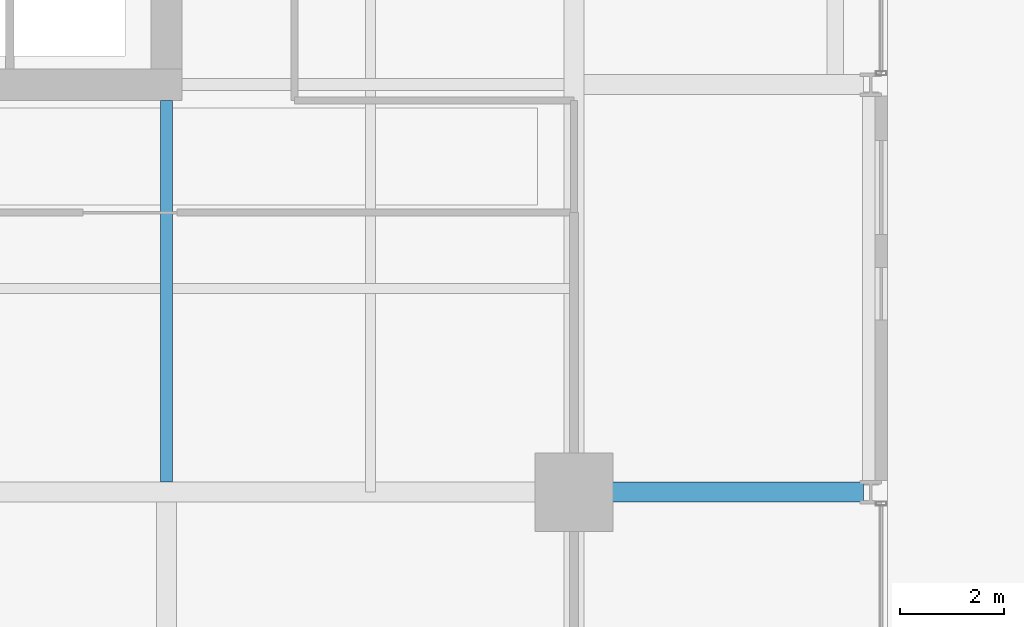
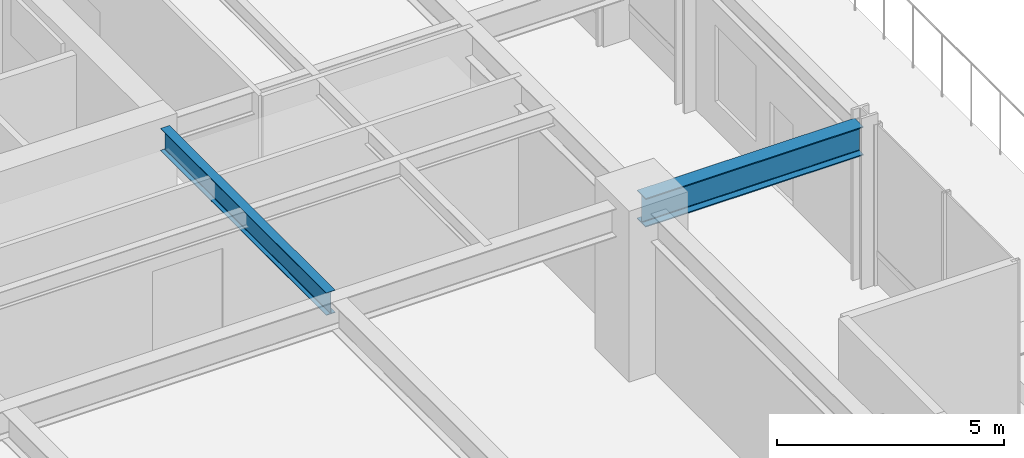
# One storey, part 12 of 33: 2 beams.
"""IFC4 building model written with IfcOpenShell, lengths in metres."""

from ifc_helpers import new_model, si_unit, direction, frame, origin, origin_2d, place, context, subcontext, project, spatial, i_section, extrude, material, material_profile, profile_set, type_object, element, save


model = new_model("IFC4")

# Units and contexts
model_context = context("Model", 3, precision=1e-05, world=origin(), true_north=direction((0.0, 1.0)))
body_context = subcontext(model_context, "Body", "Model", "MODEL_VIEW")
ifc_project = project(units=[si_unit("LENGTHUNIT", "METRE"), si_unit("AREAUNIT", "SQUARE_METRE"), si_unit("VOLUMEUNIT", "CUBIC_METRE"), si_unit("PLANEANGLEUNIT", "RADIAN"), si_unit("MASSUNIT", "GRAM", prefix="KILO")], contexts=[model_context])

# Site, building, storey
site_placement = place(None, origin())
site = spatial("IfcSite", under=ifc_project, at=site_placement, CompositionType="ELEMENT")
building_placement = place(site_placement, origin())
building = spatial("IfcBuilding", under=site, at=building_placement, Name="Drelvath Grand Hotel", CompositionType="ELEMENT")
storey_placement = place(building_placement, frame((0.0, 0.0, 87.199951171875)))
storey = spatial("IfcBuildingStorey", under=building, at=storey_placement, Name="L21", CompositionType="ELEMENT", Elevation=87.199951171875)

# Beams
ifc_material = material(Name="Steel ASTM A992 Gr 50", Category="steel")
ifc_material_profile_1 = material_profile(ifc_material, i_section(OverallWidth=0.228271484375, OverallDepth=0.607666015625, WebThickness=0.01123046875, FlangeThickness=0.017333984375, FilletRadius=0.02001953125, at=origin_2d()), Name="W24X76")
ifc_profile_set_1 = profile_set([ifc_material_profile_1], Name="Steel ASTM A992 Gr 50")
beam_type_1 = type_object("IfcBeamType", Name="Primary Floor Girder W24X76", PredefinedType="BEAM", material=ifc_profile_set_1)
beam_1_placement = place(storey_placement, frame((8.39990234375, 10.990234375, 4.0361328125), z_axis=(0.0, 1.0, 0.0), x_axis=(-1.0, 0.0, 0.0)))
element("IfcBeam", 1, at=beam_1_placement, inside=storey, type_object=beam_type_1, Name="L21 South Core Tie 6", PredefinedType="BEAM", context=body_context, shape_type="SweptSolid", body=[
    extrude(i_section(OverallWidth=0.228271484375, OverallDepth=0.607666015625, WebThickness=0.01123046875, FlangeThickness=0.017333984375, FilletRadius=0.02001953125, at=origin_2d()), origin(), (0.0, 0.0, 1.0), 7.309814453125),
])
ifc_material_profile_2 = material_profile(ifc_material, i_section(OverallWidth=0.380615234375, OverallDepth=0.773193359375, WebThickness=0.0166015625, FlangeThickness=0.027099609375, FilletRadius=0.02490234375, at=origin_2d()), Name="W30X173")
ifc_profile_set_2 = profile_set([ifc_material_profile_2], Name="Steel ASTM A992 Gr 50")
beam_type_2 = type_object("IfcBeamType", Name="Primary Floor Girder W30X173", PredefinedType="BEAM", material=ifc_profile_set_2)
beam_2_placement = place(storey_placement, frame((16.199951171875, 10.800048828125, 3.953369140625), z_axis=(1.0, 0.0, 0.0), x_axis=(0.0, 1.0, 0.0)))
element("IfcBeam", 2, at=beam_2_placement, inside=storey, type_object=beam_type_2, Name="L21 East Grid Girder C", PredefinedType="BEAM", context=body_context, shape_type="SweptSolid", body=[
    extrude(i_section(OverallWidth=0.380615234375, OverallDepth=0.773193359375, WebThickness=0.0166015625, FlangeThickness=0.027099609375, FilletRadius=0.02490234375, at=origin_2d()), origin(), (0.0, 0.0, 1.0), 5.5400390625),
])

save(model, "model.ifc")
